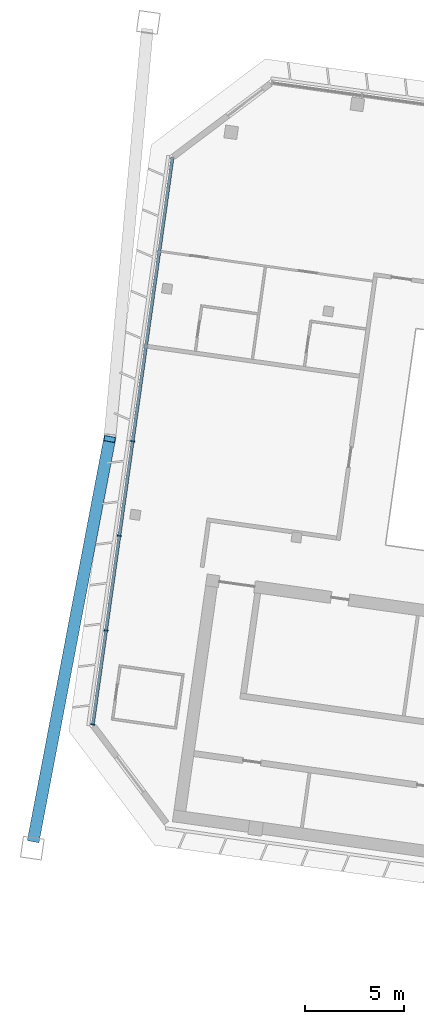
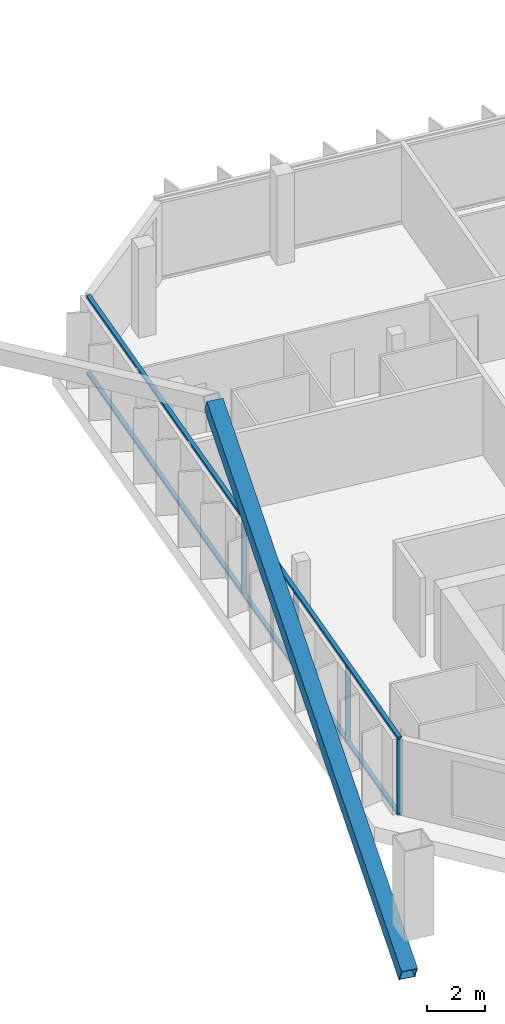
# One storey, part 3 of 23: 7 members, 1 element without a shape of its own.
"""IFC4 building model written with IfcOpenShell, lengths in metres."""

from ifc_helpers import new_model, si_unit, direction, frame, origin, origin_2d, place, context, subcontext, project, spatial, rectangle, hollow_rectangle, extrude, material, material_profile, profile_set, type_object, element, aggregate, save


model = new_model("IFC4")

# Units and contexts
model_context = context("Model", 3, precision=1e-05, world=origin(), true_north=direction((0.0, 1.0)))
body_context = subcontext(model_context, "Body", "Model", "MODEL_VIEW")
ifc_project = project(units=[si_unit("LENGTHUNIT", "METRE"), si_unit("AREAUNIT", "SQUARE_METRE"), si_unit("VOLUMEUNIT", "CUBIC_METRE"), si_unit("PLANEANGLEUNIT", "RADIAN"), si_unit("MASSUNIT", "GRAM", prefix="KILO")], contexts=[model_context])

# Site, building, storey
site_placement = place(None, origin())
site = spatial("IfcSite", under=ifc_project, at=site_placement, CompositionType="ELEMENT")
building_placement = place(site_placement, origin())
building = spatial("IfcBuilding", under=site, at=building_placement, Name="Mirante Cascada Hotel Towers", CompositionType="ELEMENT")
storey_placement = place(building_placement, frame((0.0, 0.0, 220.4)))
storey = spatial("IfcBuildingStorey", under=building, at=storey_placement, Name="L52", CompositionType="ELEMENT", Elevation=220.4)

# Member
ifc_material_1 = material(Name="Steel ASTM A572 Gr 50", Category="steel")
ifc_material_profile_1 = material_profile(ifc_material_1, hollow_rectangle(XDim=0.6, YDim=0.6, WallThickness=0.028, at=origin_2d()), Name="Box brace 600x600x28 ASTM A572 Gr 50")
ifc_profile_set_1 = profile_set([ifc_material_profile_1], Name="Steel ASTM A572 Gr 50")
member_type_1 = type_object("IfcMemberType", Name="Box brace 600x600x28 ASTM A572 Gr 50", PredefinedType="BRACE", material=ifc_profile_set_1)
member_1_placement = place(storey_placement, frame((-79.4009, -15.797, -2.1856), z_axis=(0.1657744, 0.8724349, 0.4597566), x_axis=(-0.982422, 0.1866734, 0.0)))
element("IfcMember", 1, at=member_1_placement, inside=storey, type_object=member_type_1, Name="brace T1 L52 1", PredefinedType="BRACE", context=body_context, shape_type="SweptSolid", body=[
    extrude(hollow_rectangle(XDim=0.6, YDim=0.6, WallThickness=0.028, at=origin_2d()), origin(), (0.0, 0.0, 1.0), 23.0977),
])

# Curtain wall, members
ifc_material_2 = material(Name="Aluminium mullion and transom frame with clear laminated glass", Category="aluminium")
curtain_wall_type = type_object("IfcCurtainWallType", Name="End ribbon curtain wall ECW2", PredefinedType="NOTDEFINED", material=ifc_material_2)
curtain_wall_placement = place(storey_placement, origin())
curtain_wall = element("IfcCurtainWall", 2, at=curtain_wall_placement, inside=storey, type_object=curtain_wall_type, Name="Outer end wall T1 L52", PredefinedType="NOTDEFINED")
ifc_material_3 = material(Name="Anodised aluminium extrusion", Category="aluminium")
ifc_material_profile_2 = material_profile(ifc_material_3, rectangle(XDim=0.2, YDim=0.065, at=origin_2d()), Name="ECW2 MULLION 65x200")
ifc_profile_set_2 = profile_set([ifc_material_profile_2], Name="Anodised aluminium extrusion")
member_type_2 = type_object("IfcMemberType", Name="ECW2 mullion 65x200", PredefinedType="MULLION", material=ifc_profile_set_2)
member_2_placement = place(storey_placement, frame((-76.4184, -10.0233, 0.1), z_axis=(0.0, 0.0, 1.0), x_axis=(-0.9902681, 0.1391731, 0.0)))
member_2 = element("IfcMember", 3, at=member_2_placement, type_object=member_type_2, Name="ECW2 mullion 1", PredefinedType="MULLION", context=body_context, shape_type="SweptSolid", body=[
    extrude(rectangle(XDim=0.2, YDim=0.065, at=origin_2d()), origin(), (0.0, 0.0, 1.0), 3.15),
])
member_3_placement = place(storey_placement, frame((-75.7531, -5.2897, 0.1), z_axis=(0.0, 0.0, 1.0), x_axis=(-0.9902681, 0.1391731, 0.0)))
member_3 = element("IfcMember", 4, at=member_3_placement, type_object=member_type_2, Name="ECW2 mullion 2", PredefinedType="MULLION", context=body_context, shape_type="SweptSolid", body=[
    extrude(rectangle(XDim=0.2, YDim=0.065, at=origin_2d()), origin(), (0.0, 0.0, 1.0), 3.15),
])
member_4_placement = place(storey_placement, frame((-75.0833, -0.5239, 0.1), z_axis=(0.0, 0.0, 1.0), x_axis=(-0.9902681, 0.1391731, 0.0)))
member_4 = element("IfcMember", 5, at=member_4_placement, type_object=member_type_2, Name="ECW2 mullion 3", PredefinedType="MULLION", context=body_context, shape_type="SweptSolid", body=[
    extrude(rectangle(XDim=0.2, YDim=0.065, at=origin_2d()), origin(), (0.0, 0.0, 1.0), 3.15),
])
member_5_placement = place(storey_placement, frame((-74.4135, 4.2419, 0.1), z_axis=(0.0, 0.0, 1.0), x_axis=(-0.9902681, 0.1391731, 0.0)))
member_5 = element("IfcMember", 6, at=member_5_placement, type_object=member_type_2, Name="ECW2 mullion 4", PredefinedType="MULLION", context=body_context, shape_type="SweptSolid", body=[
    extrude(rectangle(XDim=0.2, YDim=0.065, at=origin_2d()), origin(), (0.0, 0.0, 1.0), 3.15),
])
ifc_material_4 = material(Name="Anodised aluminium extrusion", Category="aluminium")
ifc_material_profile_3 = material_profile(ifc_material_4, rectangle(XDim=0.16, YDim=0.1, at=origin_2d()), Name="ECW2 TRANSOM 100x160")
ifc_profile_set_3 = profile_set([ifc_material_profile_3], Name="Anodised aluminium extrusion")
member_type_3 = type_object("IfcMemberType", Name="ECW2 transom 100x160", PredefinedType="USERDEFINED", material=ifc_profile_set_3)
member_6_placement = place(storey_placement, frame((-76.4229, -10.0554, 0.05), z_axis=(0.1391723, 0.9902682, 0.0), x_axis=(-0.9902682, 0.1391723, 0.0)))
member_6 = element("IfcMember", 7, at=member_6_placement, type_object=member_type_3, Name="ECW2 sill transom", ObjectType="TRANSOM", PredefinedType="USERDEFINED", context=body_context, shape_type="SweptSolid", body=[
    extrude(rectangle(XDim=0.16, YDim=0.1, at=origin_2d()), origin(), (0.0, 0.0, 1.0), 28.8757),
])
member_7_placement = place(storey_placement, frame((-76.4229, -10.0554, 3.3), z_axis=(0.1391723, 0.9902682, 0.0), x_axis=(-0.9902682, 0.1391723, 0.0)))
member_7 = element("IfcMember", 8, at=member_7_placement, type_object=member_type_3, Name="ECW2 head transom", ObjectType="TRANSOM", PredefinedType="USERDEFINED", context=body_context, shape_type="SweptSolid", body=[
    extrude(rectangle(XDim=0.16, YDim=0.1, at=origin_2d()), origin(), (0.0, 0.0, 1.0), 28.8757),
])
aggregate(curtain_wall, [member_6, member_7, member_2, member_3, member_4, member_5])

save(model, "model.ifc")
